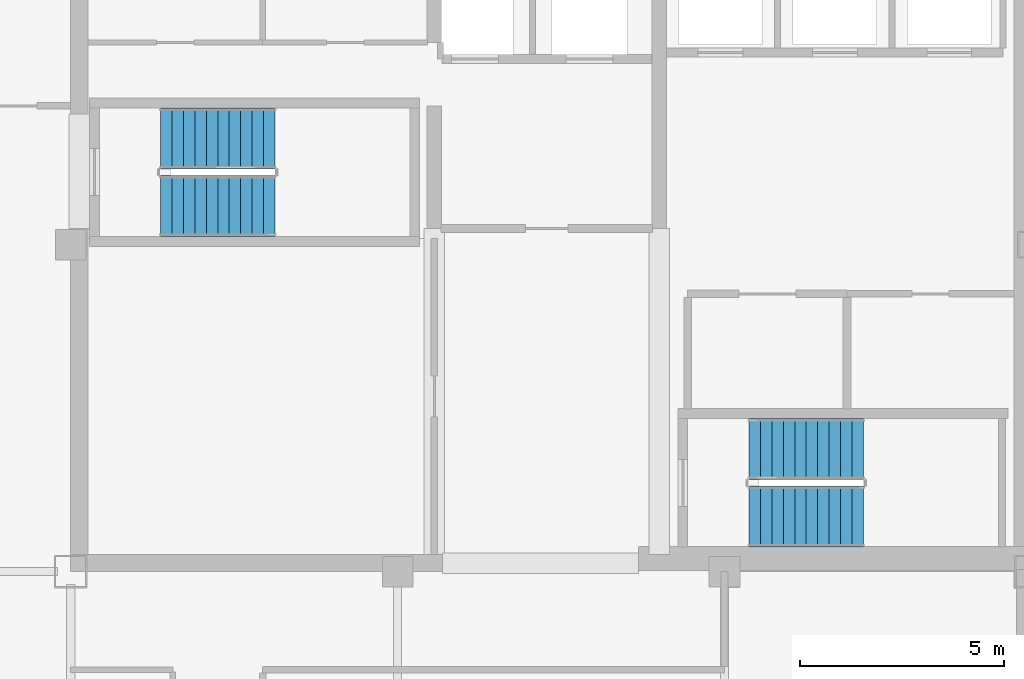
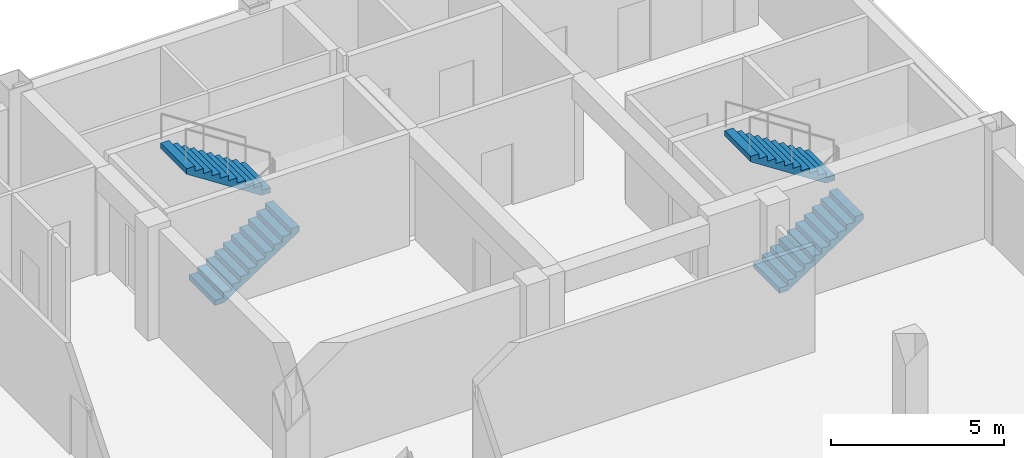
# One storey, part 4 of 7: 4 stair flights, 2 elements without a shape of their own.
"""IFC4 building model written with IfcOpenShell, lengths in metres."""

from ifc_helpers import new_model, si_unit, direction, frame, origin, place, context, subcontext, project, spatial, polyline, outline, extrude, material, type_object, element, aggregate, save


model = new_model("IFC4")

# Units and contexts
model_context = context("Model", 3, precision=1e-05, world=origin(), true_north=direction((0.0, 1.0)))
body_context = subcontext(model_context, "Body", "Model", "MODEL_VIEW")
ifc_project = project(units=[si_unit("LENGTHUNIT", "METRE"), si_unit("AREAUNIT", "SQUARE_METRE"), si_unit("VOLUMEUNIT", "CUBIC_METRE"), si_unit("PLANEANGLEUNIT", "RADIAN"), si_unit("MASSUNIT", "GRAM", prefix="KILO")], contexts=[model_context])

# Site, building, storey
site_placement = place(None, origin())
site = spatial("IfcSite", under=ifc_project, at=site_placement, CompositionType="ELEMENT")
building_placement = place(site_placement, origin())
building = spatial("IfcBuilding", under=site, at=building_placement, Name="Qianrong Seaharbour Tower", CompositionType="ELEMENT")
storey_placement = place(building_placement, frame((0.0, 0.0, 315.199951171875)))
storey = spatial("IfcBuildingStorey", under=building, at=storey_placement, Name="L76", CompositionType="ELEMENT", Elevation=315.199951171875)

# Stair, stair flights
ifc_material = material(Name="Concrete C50/60", Category="concrete")
stair_type = type_object("IfcStairType", Name="STAIR-DOGLEG-1500-R22", PredefinedType="HALF_TURN_STAIR", material=ifc_material)
stair_1_placement = place(storey_placement, origin())
stair_1 = element("IfcStair", 1, at=stair_1_placement, inside=storey, type_object=stair_type, Name="L76 Protected Escape Stair ST-1", PredefinedType="HALF_TURN_STAIR")
stair_flight_type = type_object("IfcStairFlightType", Name="FLIGHT-STR-1500-R22", PredefinedType="STRAIGHT", material=ifc_material)
stair_flight_1_placement = place(storey_placement, frame((42.699951171875, 44.949951171875, 0.0), z_axis=(0.0, 0.0, 1.0), x_axis=(1.0, 0.0, 0.0)))
stair_flight_1 = element("IfcStairFlight", 2, at=stair_flight_1_placement, type_object=stair_flight_type, Name="ST-1 flight 1", NumberOfRisers=11, NumberOfTreads=10, PredefinedType="STRAIGHT", RiserHeight=0.181818182, TreadLength=0.28, context=body_context, shape_type="SweptSolid", body=[
    extrude(outline(polyline([(0.0, 0.0), (0.0, 0.181884765625), (0.280029296875, 0.181884765625), (0.280029296875, 0.363525390625), (0.56005859375, 0.363525390625), (0.56005859375, 0.54541015625), (0.840087890625, 0.54541015625), (0.840087890625, 0.727294921875), (1.1201171875, 0.727294921875), (1.1201171875, 0.9091796875), (1.39990234375, 0.9091796875), (1.39990234375, 1.0908203125), (1.679931640625, 1.0908203125), (1.679931640625, 1.272705078125), (1.9599609375, 1.272705078125), (1.9599609375, 1.45458984375), (2.239990234375, 1.45458984375), (2.239990234375, 1.636474609375), (2.52001953125, 1.636474609375), (2.52001953125, 1.818115234375), (2.800048828125, 1.818115234375), (2.800048828125, 2.0), (2.800048828125, 1.62744140625), (0.293701171875, 0.0), (0.0, 0.0)])), frame((0.0, 0.75, 0.0), z_axis=(0.0, -1.0, 0.0), x_axis=(1.0, 0.0, 0.0)), (0.0, 0.0, 1.0), 1.5),
])
stair_flight_2_placement = place(storey_placement, frame((45.5, 46.60009765625, 2.0), z_axis=(0.0, 0.0, 1.0), x_axis=(-1.0, 0.0, 0.0)))
stair_flight_2 = element("IfcStairFlight", 3, at=stair_flight_2_placement, type_object=stair_flight_type, Name="ST-1 flight 2", NumberOfRisers=11, NumberOfTreads=10, PredefinedType="STRAIGHT", RiserHeight=0.181818182, TreadLength=0.28, context=body_context, shape_type="SweptSolid", body=[
    extrude(outline(polyline([(0.0, 0.0), (0.0, 0.181884765625), (0.280029296875, 0.181884765625), (0.280029296875, 0.363525390625), (0.56005859375, 0.363525390625), (0.56005859375, 0.54541015625), (0.840087890625, 0.54541015625), (0.840087890625, 0.727294921875), (1.1201171875, 0.727294921875), (1.1201171875, 0.9091796875), (1.39990234375, 0.9091796875), (1.39990234375, 1.0908203125), (1.679931640625, 1.0908203125), (1.679931640625, 1.272705078125), (1.9599609375, 1.272705078125), (1.9599609375, 1.45458984375), (2.239990234375, 1.45458984375), (2.239990234375, 1.636474609375), (2.52001953125, 1.636474609375), (2.52001953125, 1.818115234375), (2.800048828125, 1.818115234375), (2.800048828125, 2.0), (2.800048828125, 1.62744140625), (0.293701171875, 0.0), (0.0, 0.0)])), frame((0.0, 0.75, 0.0), z_axis=(0.0, -1.0, 0.0), x_axis=(1.0, 0.0, 0.0)), (0.0, 0.0, 1.0), 1.5),
])
aggregate(stair_1, [stair_flight_1, stair_flight_2])

stair_2_placement = place(storey_placement, origin())
stair_2 = element("IfcStair", 4, at=stair_2_placement, inside=storey, type_object=stair_type, Name="L76 Protected Escape Stair ST-2", PredefinedType="HALF_TURN_STAIR")
stair_flight_3_placement = place(storey_placement, frame((57.10009765625, 37.35009765625, 0.0), z_axis=(0.0, 0.0, 1.0), x_axis=(1.0, 0.0, 0.0)))
stair_flight_3 = element("IfcStairFlight", 5, at=stair_flight_3_placement, type_object=stair_flight_type, Name="ST-2 flight 1", NumberOfRisers=11, NumberOfTreads=10, PredefinedType="STRAIGHT", RiserHeight=0.181818182, TreadLength=0.28, context=body_context, shape_type="SweptSolid", body=[
    extrude(outline(polyline([(0.0, 0.0), (0.0, 0.181884765625), (0.280029296875, 0.181884765625), (0.280029296875, 0.363525390625), (0.56005859375, 0.363525390625), (0.56005859375, 0.54541015625), (0.840087890625, 0.54541015625), (0.840087890625, 0.727294921875), (1.1201171875, 0.727294921875), (1.1201171875, 0.9091796875), (1.39990234375, 0.9091796875), (1.39990234375, 1.0908203125), (1.679931640625, 1.0908203125), (1.679931640625, 1.272705078125), (1.9599609375, 1.272705078125), (1.9599609375, 1.45458984375), (2.239990234375, 1.45458984375), (2.239990234375, 1.636474609375), (2.52001953125, 1.636474609375), (2.52001953125, 1.818115234375), (2.800048828125, 1.818115234375), (2.800048828125, 2.0), (2.800048828125, 1.62744140625), (0.293701171875, 0.0), (0.0, 0.0)])), frame((0.0, 0.75, 0.0), z_axis=(0.0, -1.0, 0.0), x_axis=(1.0, 0.0, 0.0)), (0.0, 0.0, 1.0), 1.5),
])
stair_flight_4_placement = place(storey_placement, frame((59.89990234375, 39.0, 2.0), z_axis=(0.0, 0.0, 1.0), x_axis=(-1.0, 0.0, 0.0)))
stair_flight_4 = element("IfcStairFlight", 6, at=stair_flight_4_placement, type_object=stair_flight_type, Name="ST-2 flight 2", NumberOfRisers=11, NumberOfTreads=10, PredefinedType="STRAIGHT", RiserHeight=0.181818182, TreadLength=0.28, context=body_context, shape_type="SweptSolid", body=[
    extrude(outline(polyline([(0.0, 0.0), (0.0, 0.181884765625), (0.280029296875, 0.181884765625), (0.280029296875, 0.363525390625), (0.56005859375, 0.363525390625), (0.56005859375, 0.54541015625), (0.840087890625, 0.54541015625), (0.840087890625, 0.727294921875), (1.1201171875, 0.727294921875), (1.1201171875, 0.9091796875), (1.39990234375, 0.9091796875), (1.39990234375, 1.0908203125), (1.679931640625, 1.0908203125), (1.679931640625, 1.272705078125), (1.9599609375, 1.272705078125), (1.9599609375, 1.45458984375), (2.239990234375, 1.45458984375), (2.239990234375, 1.636474609375), (2.52001953125, 1.636474609375), (2.52001953125, 1.818115234375), (2.800048828125, 1.818115234375), (2.800048828125, 2.0), (2.800048828125, 1.62744140625), (0.293701171875, 0.0), (0.0, 0.0)])), frame((0.0, 0.75, 0.0), z_axis=(0.0, -1.0, 0.0), x_axis=(1.0, 0.0, 0.0)), (0.0, 0.0, 1.0), 1.5),
])
aggregate(stair_2, [stair_flight_3, stair_flight_4])

save(model, "model.ifc")
